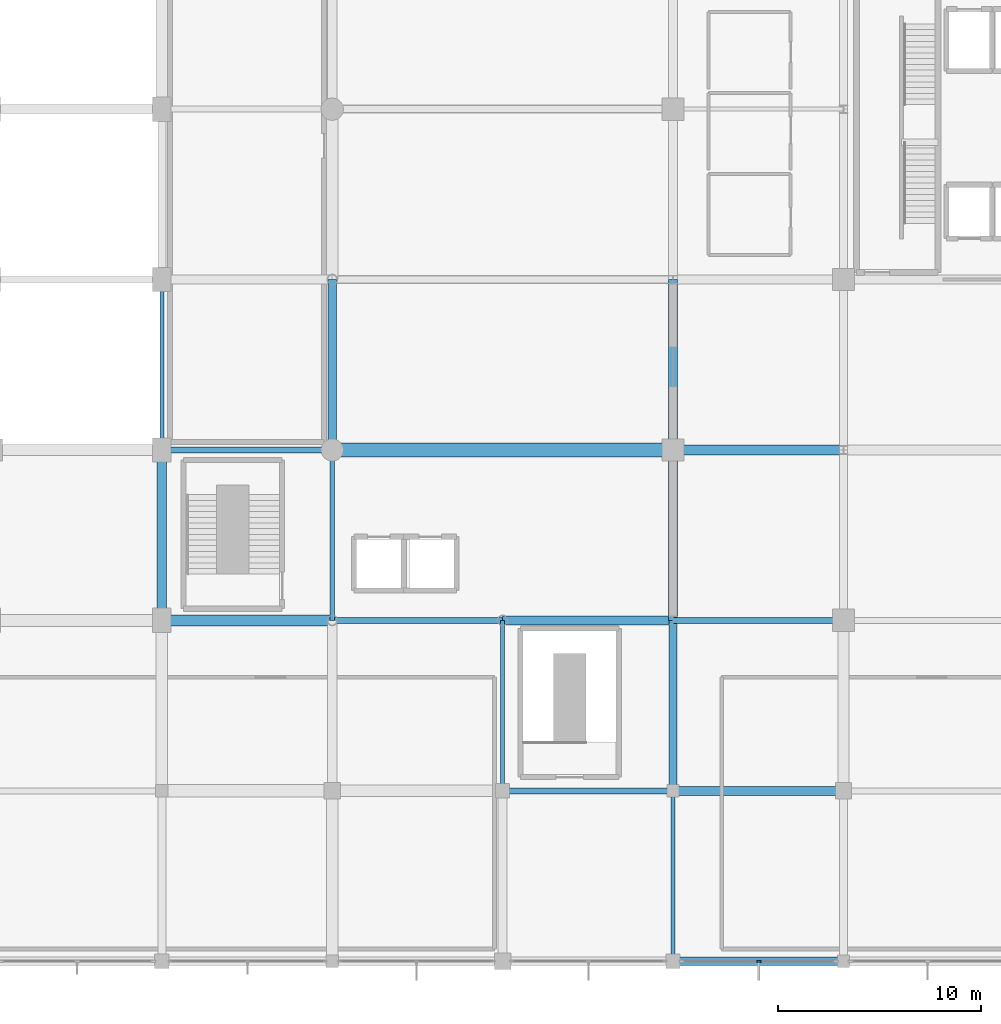
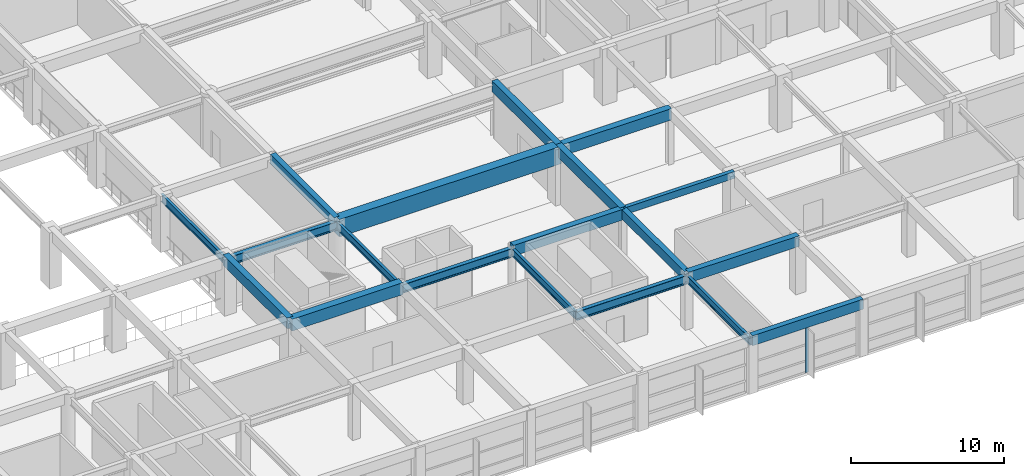
# One storey, part 19 of 56: 19 beams, 1 member, 1 element without a shape of its own.
"""IFC4 building model written with IfcOpenShell, lengths in metres."""

from ifc_helpers import new_model, si_unit, direction, frame, origin, origin_2d, place, context, subcontext, project, spatial, rectangle, i_section, extrude, material, material_profile, profile_set, type_object, element, aggregate, save


model = new_model("IFC4")

# Units and contexts
model_context = context("Model", 3, precision=1e-05, world=origin(), true_north=direction((0.0, 1.0)))
body_context = subcontext(model_context, "Body", "Model", "MODEL_VIEW")
ifc_project = project(units=[si_unit("LENGTHUNIT", "METRE"), si_unit("AREAUNIT", "SQUARE_METRE"), si_unit("VOLUMEUNIT", "CUBIC_METRE"), si_unit("PLANEANGLEUNIT", "RADIAN"), si_unit("MASSUNIT", "GRAM", prefix="KILO")], contexts=[model_context])

# Site, building, storey
site_placement = place(None, origin())
site = spatial("IfcSite", under=ifc_project, at=site_placement, CompositionType="ELEMENT")
building_placement = place(site_placement, origin())
building = spatial("IfcBuilding", under=site, at=building_placement, Name="Xuanlan Plaza Opera House", CompositionType="ELEMENT")
storey_placement = place(building_placement, frame((0.0, 0.0, 18.89990234375)))
storey = spatial("IfcBuildingStorey", under=building, at=storey_placement, Name="L04", CompositionType="ELEMENT", Elevation=18.89990234375)

# Curtain wall, member
ifc_material_1 = material(Name="Anodised Aluminium 6063-T6 and Low-E Glass", Category="aluminium")
curtain_wall_type = type_object("IfcCurtainWallType", Name="ENV-CW-CW-06", PredefinedType="USERDEFINED", material=ifc_material_1)
curtain_wall_placement = place(storey_placement, origin())
curtain_wall = element("IfcCurtainWall", 1, at=curtain_wall_placement, inside=storey, type_object=curtain_wall_type, Name="Acoustic Glazed Wall L04-013", ObjectType="ACOUSTIC GLAZED WALL", PredefinedType="USERDEFINED")
ifc_material_2 = material(Name="Anodised Aluminium 6063-T6", Category="aluminium")
ifc_material_profile_1 = material_profile(ifc_material_2, rectangle(XDim=0.080078125, YDim=0.219970703125, at=origin_2d()), Name="ALU-M 80x220")
ifc_profile_set_1 = profile_set([ifc_material_profile_1], Name="Anodised Aluminium 6063-T6")
member_type = type_object("IfcMemberType", Name="ENV-CWM-04", PredefinedType="MULLION", material=ifc_profile_set_1)
member_placement = place(storey_placement, frame((130.22509765625, 16.800048828125, 0.0), z_axis=(0.0, 0.0, 1.0), x_axis=(0.0, 1.0, 0.0)))
member = element("IfcMember", 2, at=member_placement, type_object=member_type, Name="CW-06 mullion 2", PredefinedType="MULLION", context=body_context, shape_type="SweptSolid", body=[
    extrude(rectangle(XDim=0.080078125, YDim=0.219970703125, at=origin_2d()), origin(), (0.0, 0.0, 1.0), 3.68017578125),
])
aggregate(curtain_wall, [member])

# Beams
ifc_material_3 = material(Name="Concrete C50", Category="concrete")
ifc_material_profile_2 = material_profile(ifc_material_3, rectangle(XDim=0.550048828125, YDim=0.949951171875, at=origin_2d()), Name="RC-BM 550x950")
ifc_profile_set_2 = profile_set([ifc_material_profile_2], Name="Concrete C50")
beam_type_1 = type_object("IfcBeamType", Name="STR-BM-B-02", PredefinedType="BEAM", material=ifc_profile_set_2)
beam_1_placement = place(storey_placement, frame((100.800048828125, 33.60009765625, 4.025146484375), z_axis=(1.0, 0.0, 0.0), x_axis=(0.0, 1.0, 0.0)))
element("IfcBeam", 3, at=beam_1_placement, inside=storey, type_object=beam_type_1, Name="Grid Beam X L04 13-14/E", PredefinedType="BEAM", context=body_context, shape_type="SweptSolid", body=[
    extrude(rectangle(XDim=0.550048828125, YDim=0.949951171875, at=origin_2d()), origin(), (0.0, 0.0, 1.0), 8.39990234375),
])
ifc_material_4 = material(Name="Concrete C40", Category="concrete")
ifc_material_profile_3 = material_profile(ifc_material_4, rectangle(XDim=0.5, YDim=0.89990234375, at=origin_2d()), Name="RC-BM 500x900")
ifc_profile_set_3 = profile_set([ifc_material_profile_3], Name="Concrete C40")
beam_type_2 = type_object("IfcBeamType", Name="STR-BM-B-03", PredefinedType="BEAM", material=ifc_profile_set_3)
beam_2_placement = place(storey_placement, frame((126.0, 42.0, 4.050048828125), z_axis=(1.0, 0.0, 0.0), x_axis=(0.0, 1.0, 0.0)))
element("IfcBeam", 4, at=beam_2_placement, inside=storey, type_object=beam_type_2, Name="Grid Beam X L04 16-17/F", PredefinedType="BEAM", context=body_context, shape_type="SweptSolid", body=[
    extrude(rectangle(XDim=0.5, YDim=0.89990234375, at=origin_2d()), origin(), (0.0, 0.0, 1.0), 8.39990234375),
])
ifc_material_profile_4 = material_profile(ifc_material_4, rectangle(XDim=0.449951171875, YDim=0.85009765625, at=origin_2d()), Name="RC-BM 450x850")
ifc_profile_set_4 = profile_set([ifc_material_profile_4], Name="Concrete C40")
beam_type_3 = type_object("IfcBeamType", Name="STR-BM-B-04", PredefinedType="BEAM", material=ifc_profile_set_4)
for number, where, z_axis, x_axis, name in (
    (5, (126.0, 25.199951171875, 4.0751953125), (1.0, 0.0, 0.0), (0.0, 1.0, 0.0), "Grid Beam X L04 16-17/D"),
    (6, (117.60009765625, 33.60009765625, 4.0751953125), (1.0, 0.0, 0.0), (0.0, 1.0, 0.0), "Grid Beam X L04 15-16/E"),
    (7, (100.800048828125, 33.60009765625, 4.0751953125), (0.0, 1.0, 0.0), (-1.0, 0.0, 0.0), "Grid Beam Y L04 13/E-F"),
    (8, (126.0, 33.60009765625, 4.0751953125), (0.0, 1.0, 0.0), (-1.0, 0.0, 0.0), "Grid Beam Y L04 16/E-F"),
    (9, (126.0, 42.0, 4.0751953125), (0.0, 1.0, 0.0), (-1.0, 0.0, 0.0), "Grid Beam Y L04 16/F-G"),
):
    element("IfcBeam", number, at=place(storey_placement, frame(where, z_axis=z_axis, x_axis=x_axis)), inside=storey, type_object=beam_type_3, Name=name, PredefinedType="BEAM", context=body_context, shape_type="SweptSolid", body=[
        extrude(rectangle(XDim=0.449951171875, YDim=0.85009765625, at=origin_2d()), origin(), (0.0, 0.0, 1.0), 8.39990234375),
    ])
ifc_material_profile_5 = material_profile(ifc_material_4, rectangle(XDim=0.39990234375, YDim=0.75, at=origin_2d()), Name="RC-BM 400x750")
ifc_profile_set_5 = profile_set([ifc_material_profile_5], Name="Concrete C40")
beam_type_4 = type_object("IfcBeamType", Name="STR-BM-B-06", PredefinedType="BEAM", material=ifc_profile_set_5)
beam_3_placement = place(storey_placement, frame((109.199951171875, 42.0, 4.125), z_axis=(0.0, 1.0, 0.0), x_axis=(-1.0, 0.0, 0.0)))
element("IfcBeam", 10, at=beam_3_placement, inside=storey, type_object=beam_type_4, Name="Grid Beam Y L04 14/F-G", PredefinedType="BEAM", context=body_context, shape_type="SweptSolid", body=[
    extrude(rectangle(XDim=0.39990234375, YDim=0.75, at=origin_2d()), origin(), (0.0, 0.0, 1.0), 8.39990234375),
])
beam_4_placement = place(storey_placement, frame((126.0, 25.199951171875, 4.125), z_axis=(0.0, 1.0, 0.0), x_axis=(-1.0, 0.0, 0.0)))
element("IfcBeam", 11, at=beam_4_placement, inside=storey, type_object=beam_type_4, Name="Grid Beam Y L04 16/D-E", PredefinedType="BEAM", context=body_context, shape_type="SweptSolid", body=[
    extrude(rectangle(XDim=0.39990234375, YDim=0.75, at=origin_2d()), origin(), (0.0, 0.0, 1.0), 8.400146484375),
])
ifc_material_profile_6 = material_profile(ifc_material_4, rectangle(XDim=0.300048828125, YDim=0.550048828125, at=origin_2d()), Name="RC-BM 300x550")
ifc_profile_set_6 = profile_set([ifc_material_profile_6], Name="Concrete C40")
beam_type_5 = type_object("IfcBeamType", Name="STR-BM-B-09", PredefinedType="BEAM", material=ifc_profile_set_6)
beam_5_placement = place(storey_placement, frame((126.0, 33.60009765625, 4.22509765625), z_axis=(1.0, 0.0, 0.0), x_axis=(0.0, 1.0, 0.0)))
element("IfcBeam", 12, at=beam_5_placement, inside=storey, type_object=beam_type_5, Name="Grid Beam X L04 16-17/E", PredefinedType="BEAM", context=body_context, shape_type="SweptSolid", body=[
    extrude(rectangle(XDim=0.300048828125, YDim=0.550048828125, at=origin_2d()), origin(), (0.0, 0.0, 1.0), 8.39990234375),
])
ifc_material_profile_7 = material_profile(ifc_material_3, rectangle(XDim=0.699951171875, YDim=1.39990234375, at=origin_2d()), Name="RC-LG 700x1400")
ifc_profile_set_7 = profile_set([ifc_material_profile_7], Name="Concrete C50")
beam_type_6 = type_object("IfcBeamType", Name="STR-BM-LG-01", PredefinedType="BEAM", material=ifc_profile_set_7)
beam_6_placement = place(storey_placement, frame((109.199951171875, 42.0, 3.800048828125), z_axis=(1.0, 0.0, 0.0), x_axis=(0.0, 1.0, 0.0)))
element("IfcBeam", 13, at=beam_6_placement, inside=storey, type_object=beam_type_6, Name="Grid Beam X L04 14-16/F", PredefinedType="BEAM", context=body_context, shape_type="SweptSolid", body=[
    extrude(rectangle(XDim=0.699951171875, YDim=1.39990234375, at=origin_2d()), origin(), (0.0, 0.0, 1.0), 16.800048828125),
])
ifc_material_5 = material(Name="Steel Q355B", Category="steel")
ifc_material_profile_8 = material_profile(ifc_material_5, i_section(OverallWidth=0.300048828125, OverallDepth=0.699951171875, WebThickness=0.012939453125, FlangeThickness=0.02392578125, FilletRadius=0.02392578125, at=origin_2d()), Name="HN 700x300x13x24")
ifc_profile_set_8 = profile_set([ifc_material_profile_8], Name="Steel Q355B")
beam_type_7 = type_object("IfcBeamType", Name="STR-BM-SB-03", PredefinedType="BEAM", material=ifc_profile_set_8)
beam_7_placement = place(storey_placement, frame((117.60009765625, 25.199951171875, 3.885009765625), z_axis=(1.0, 0.0, 0.0), x_axis=(0.0, 1.0, 0.0)))
element("IfcBeam", 14, at=beam_7_placement, inside=storey, type_object=beam_type_7, Name="Grid Beam X L04 15-16/D", PredefinedType="BEAM", context=body_context, shape_type="SweptSolid", body=[
    extrude(i_section(OverallWidth=0.300048828125, OverallDepth=0.699951171875, WebThickness=0.012939453125, FlangeThickness=0.02392578125, FilletRadius=0.02392578125, at=origin_2d()), origin(), (0.0, 0.0, 1.0), 8.39990234375),
])
beam_8_placement = place(storey_placement, frame((109.199951171875, 33.60009765625, 3.885009765625), z_axis=(1.0, 0.0, 0.0), x_axis=(0.0, 1.0, 0.0)))
element("IfcBeam", 15, at=beam_8_placement, inside=storey, type_object=beam_type_7, Name="Grid Beam X L04 14-15/E", PredefinedType="BEAM", context=body_context, shape_type="SweptSolid", body=[
    extrude(i_section(OverallWidth=0.300048828125, OverallDepth=0.699951171875, WebThickness=0.012939453125, FlangeThickness=0.02392578125, FilletRadius=0.02392578125, at=origin_2d()), origin(), (0.0, 0.0, 1.0), 8.400146484375),
])
beam_9_placement = place(storey_placement, frame((100.800048828125, 42.0, 3.885009765625), z_axis=(1.0, 0.0, 0.0), x_axis=(0.0, 1.0, 0.0)))
element("IfcBeam", 16, at=beam_9_placement, inside=storey, type_object=beam_type_7, Name="Grid Beam X L04 13-14/F", PredefinedType="BEAM", context=body_context, shape_type="SweptSolid", body=[
    extrude(i_section(OverallWidth=0.300048828125, OverallDepth=0.699951171875, WebThickness=0.012939453125, FlangeThickness=0.02392578125, FilletRadius=0.02392578125, at=origin_2d()), origin(), (0.0, 0.0, 1.0), 8.39990234375),
])
ifc_material_profile_9 = material_profile(ifc_material_5, i_section(OverallWidth=0.199951171875, OverallDepth=0.60009765625, WebThickness=0.010986328125, FlangeThickness=0.01708984375, FilletRadius=0.02197265625, at=origin_2d()), Name="HN 600x200x11x17")
ifc_profile_set_9 = profile_set([ifc_material_profile_9], Name="Steel Q355B")
beam_type_8 = type_object("IfcBeamType", Name="STR-BM-SB-04", PredefinedType="BEAM", material=ifc_profile_set_9)
for number, where, z_axis, x_axis, name in (
    (17, (100.800048828125, 42.0, 3.93505859375), (0.0, 1.0, 0.0), (-1.0, 0.0, 0.0), "Grid Beam Y L04 13/F-G"),
    (18, (109.199951171875, 33.60009765625, 3.93505859375), (0.0, 1.0, 0.0), (-1.0, 0.0, 0.0), "Grid Beam Y L04 14/E-F"),
):
    element("IfcBeam", number, at=place(storey_placement, frame(where, z_axis=z_axis, x_axis=x_axis)), inside=storey, type_object=beam_type_8, Name=name, PredefinedType="BEAM", context=body_context, shape_type="SweptSolid", body=[
        extrude(i_section(OverallWidth=0.199951171875, OverallDepth=0.60009765625, WebThickness=0.010986328125, FlangeThickness=0.01708984375, FilletRadius=0.02197265625, at=origin_2d()), origin(), (0.0, 0.0, 1.0), 8.39990234375),
    ])
beam_10_placement = place(storey_placement, frame((117.60009765625, 25.199951171875, 3.93505859375), z_axis=(0.0, 1.0, 0.0), x_axis=(-1.0, 0.0, 0.0)))
element("IfcBeam", 19, at=beam_10_placement, inside=storey, type_object=beam_type_8, Name="Grid Beam Y L04 15/D-E", PredefinedType="BEAM", context=body_context, shape_type="SweptSolid", body=[
    extrude(i_section(OverallWidth=0.199951171875, OverallDepth=0.60009765625, WebThickness=0.010986328125, FlangeThickness=0.01708984375, FilletRadius=0.02197265625, at=origin_2d()), origin(), (0.0, 0.0, 1.0), 8.400146484375),
])
beam_11_placement = place(storey_placement, frame((126.0, 16.800048828125, 3.93505859375), z_axis=(0.0, 1.0, 0.0), x_axis=(-1.0, 0.0, 0.0)))
element("IfcBeam", 20, at=beam_11_placement, inside=storey, type_object=beam_type_8, Name="Grid Beam Y L04 16/C-D", PredefinedType="BEAM", context=body_context, shape_type="SweptSolid", body=[
    extrude(i_section(OverallWidth=0.199951171875, OverallDepth=0.60009765625, WebThickness=0.010986328125, FlangeThickness=0.01708984375, FilletRadius=0.02197265625, at=origin_2d()), origin(), (0.0, 0.0, 1.0), 8.39990234375),
])
ifc_material_profile_10 = material_profile(ifc_material_4, rectangle(XDim=0.39990234375, YDim=0.800048828125, at=origin_2d()), Name="RC-SPD 400x800")
ifc_profile_set_10 = profile_set([ifc_material_profile_10], Name="Concrete C40")
beam_type_9 = type_object("IfcBeamType", Name="STR-BM-SP-01", PredefinedType="SPANDREL", material=ifc_profile_set_10)
beam_12_placement = place(storey_placement, frame((126.0, 16.800048828125, 4.10009765625), z_axis=(1.0, 0.0, 0.0), x_axis=(0.0, 1.0, 0.0)))
element("IfcBeam", 21, at=beam_12_placement, inside=storey, type_object=beam_type_9, Name="Grid Beam X L04 16-17/C", PredefinedType="SPANDREL", context=body_context, shape_type="SweptSolid", body=[
    extrude(rectangle(XDim=0.39990234375, YDim=0.800048828125, at=origin_2d()), origin(), (0.0, 0.0, 1.0), 8.39990234375),
])

save(model, "model.ifc")
